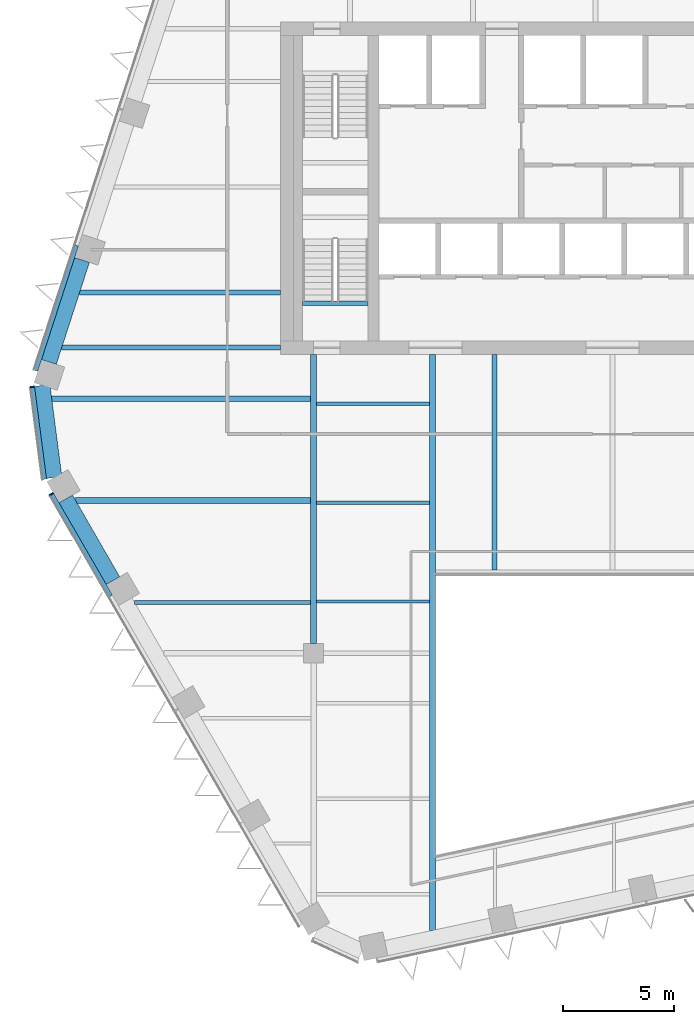
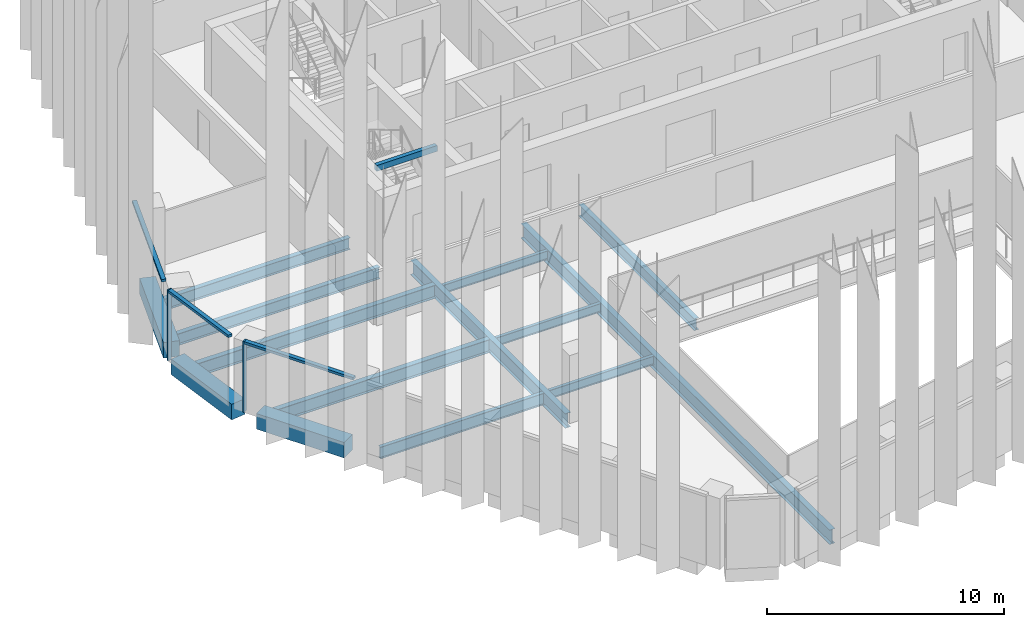
# One storey, part 3 of 18: 15 beams, 5 members, 3 elements without a shape of their own.
"""IFC4 building model written with IfcOpenShell, lengths in metres."""

from ifc_helpers import new_model, si_unit, direction, frame, origin, origin_2d, place, context, subcontext, project, spatial, rectangle, i_section, extrude, material, layer, layer_set, material_profile, profile_set, type_object, element, aggregate, save


model = new_model("IFC4")

# Units and contexts
model_context = context("Model", 3, precision=1e-05, world=origin(), true_north=direction((0.0, 1.0)))
body_context = subcontext(model_context, "Body", "Model", "MODEL_VIEW")
ifc_project = project(units=[si_unit("LENGTHUNIT", "METRE"), si_unit("AREAUNIT", "SQUARE_METRE"), si_unit("VOLUMEUNIT", "CUBIC_METRE"), si_unit("PLANEANGLEUNIT", "RADIAN"), si_unit("MASSUNIT", "GRAM", prefix="KILO")], contexts=[model_context])

# Site, building, storey
site_placement = place(None, origin())
site = spatial("IfcSite", under=ifc_project, at=site_placement, CompositionType="ELEMENT")
building_placement = place(site_placement, origin())
building = spatial("IfcBuilding", under=site, at=building_placement, Name="Isthmus Gate Tower", CompositionType="ELEMENT")
storey_placement = place(building_placement, frame((0.0, 0.0, 238.199951171875)))
storey = spatial("IfcBuildingStorey", under=building, at=storey_placement, Name="L60", CompositionType="ELEMENT", Elevation=238.199951171875)

# Curtain wall, member
ifc_material_1 = material(Name="Aluminium, pale champagne anodised", Category="aluminium")
ifc_layer = layer(ifc_material_1, 0.199951171875)
ifc_layer_set = layer_set([ifc_layer], Name="CW-1 UNITISED CURTAIN WALL 200 DEEP")
curtain_wall_type = type_object("IfcCurtainWallType", Name="CW-1 UNITISED CURTAIN WALL 200 DEEP", PredefinedType="NOTDEFINED", material=ifc_layer_set)
curtain_wall_1_placement = place(storey_placement, origin())
curtain_wall_1 = element("IfcCurtainWall", 1, at=curtain_wall_1_placement, inside=storey, type_object=curtain_wall_type, Name="CW-1 NW-SW L60", PredefinedType="NOTDEFINED")
ifc_material_2 = material(Name="Aluminium, pale champagne anodised", Category="aluminium")
ifc_material_profile_1 = material_profile(ifc_material_2, rectangle(XDim=0.06005859375, YDim=0.199951171875, at=origin_2d()), Name="60x200")
ifc_profile_set_1 = profile_set([ifc_material_profile_1], Name="Aluminium, pale champagne anodised")
member_type_1 = type_object("IfcMemberType", Name="CW-1 MULLION 60 X 200", PredefinedType="MULLION", material=ifc_profile_set_1)
member_1_placement = place(storey_placement, frame((-26.205322265625, -1.4658203125, 0.0), z_axis=(0.0, 0.0, 1.0), x_axis=(0.129164534, -0.991623175988, 0.0)))
member_1 = element("IfcMember", 2, at=member_1_placement, type_object=member_type_1, Name="CW-1 mullion", PredefinedType="MULLION", context=body_context, shape_type="SweptSolid", body=[
    extrude(rectangle(XDim=0.06005859375, YDim=0.199951171875, at=origin_2d()), origin(), (0.0, 0.0, 1.0), 3.650146484375),
])

curtain_wall_2_placement = place(storey_placement, origin())
curtain_wall_2 = element("IfcCurtainWall", 3, at=curtain_wall_2_placement, inside=storey, type_object=curtain_wall_type, Name="CW-1 SW L60", PredefinedType="NOTDEFINED")
member_2_placement = place(storey_placement, frame((-25.3427734375, -6.304931640625, 0.0), z_axis=(0.0, 0.0, 1.0), x_axis=(0.5, -0.866025403784, 0.0)))
member_2 = element("IfcMember", 4, at=member_2_placement, type_object=member_type_1, Name="CW-1 mullion", PredefinedType="MULLION", context=body_context, shape_type="SweptSolid", body=[
    extrude(rectangle(XDim=0.06005859375, YDim=0.199951171875, at=origin_2d()), origin(), (0.0, 0.0, 1.0), 3.650146484375),
])

curtain_wall_3_placement = place(storey_placement, origin())
curtain_wall_3 = element("IfcCurtainWall", 5, at=curtain_wall_3_placement, inside=storey, type_object=curtain_wall_type, Name="CW-1 NW L60", PredefinedType="NOTDEFINED")
ifc_material_3 = material(Name="Aluminium, pale champagne anodised", Category="aluminium")
ifc_material_profile_2 = material_profile(ifc_material_3, rectangle(XDim=0.199951171875, YDim=0.1298828125, at=origin_2d()), Name="200x130")
ifc_profile_set_2 = profile_set([ifc_material_profile_2], Name="Aluminium, pale champagne anodised")
member_type_2 = type_object("IfcMemberType", Name="CW-1 TRANSOM 200 X 130", PredefinedType="USERDEFINED", material=ifc_profile_set_2)
member_3_placement = place(storey_placement, frame((-24.217529296875, 4.92333984375, 3.5849609375), z_axis=(-0.309020108403, -0.951055504481, 0.0), x_axis=(0.951055504481, -0.309020108403, 0.0)))
member_3 = element("IfcMember", 6, at=member_3_placement, type_object=member_type_2, Name="CW-1 transom", ObjectType="TRANSOM", PredefinedType="USERDEFINED", context=body_context, shape_type="SweptSolid", body=[
    extrude(rectangle(XDim=0.199951171875, YDim=0.1298828125, at=origin_2d()), origin(), (0.0, 0.0, 1.0), 5.94189453125),
])
aggregate(curtain_wall_3, [member_3])

# Member
member_4_placement = place(storey_placement, frame((-26.20166015625, -1.495361328125, 3.5849609375), z_axis=(0.129206893318, -0.991617657527, 0.0), x_axis=(0.991617657527, 0.129206893318, 0.0)))
member_4 = element("IfcMember", 7, at=member_4_placement, type_object=member_type_2, Name="CW-1 transom", ObjectType="TRANSOM", PredefinedType="USERDEFINED", context=body_context, shape_type="SweptSolid", body=[
    extrude(rectangle(XDim=0.199951171875, YDim=0.1298828125, at=origin_2d()), origin(), (0.0, 0.0, 1.0), 4.181640625),
])

aggregate(curtain_wall_1, [member_1, member_4])

member_5_placement = place(storey_placement, frame((-25.327880859375, -6.3310546875, 3.5849609375), z_axis=(0.500022807565, -0.86601223543, 0.0), x_axis=(0.86601223543, 0.500022807565, 0.0)))
member_5 = element("IfcMember", 8, at=member_5_placement, type_object=member_type_2, Name="CW-1 transom", ObjectType="TRANSOM", PredefinedType="USERDEFINED", context=body_context, shape_type="SweptSolid", body=[
    extrude(rectangle(XDim=0.199951171875, YDim=0.1298828125, at=origin_2d()), origin(), (0.0, 0.0, 1.0), 5.300537109375),
])

aggregate(curtain_wall_2, [member_2, member_5])

# Beams
ifc_material_4 = material(Name="Concrete f'c 50 MPa", Category="concrete")
ifc_material_profile_3 = material_profile(ifc_material_4, rectangle(XDim=0.699951171875, YDim=0.800048828125, at=origin_2d()), Name="RC 700X800")
ifc_profile_set_3 = profile_set([ifc_material_profile_3], Name="Concrete f'c 50 MPa")
beam_type_1 = type_object("IfcBeamType", Name="RC SPANDREL 700 X 800", PredefinedType="SPANDREL", material=ifc_profile_set_3)
beam_1_placement = place(storey_placement, frame((-22.562744140625, -10.22021484375, -0.39990234375), z_axis=(-0.499996907167, 0.866027189425, 0.0), x_axis=(-0.866027189425, -0.499996907167, 0.0)))
element("IfcBeam", 9, at=beam_1_placement, inside=storey, type_object=beam_type_1, Name="str-spandrel-L60-19", PredefinedType="SPANDREL", context=body_context, shape_type="SweptSolid", body=[
    extrude(rectangle(XDim=0.699951171875, YDim=0.800048828125, at=origin_2d()), origin(), (0.0, 0.0, 1.0), 4.2607421875),
])
beam_2_placement = place(storey_placement, frame((-25.218017578125, -5.563232421875, -0.39990234375), z_axis=(-0.129137748309, 0.991626664608, 0.0), x_axis=(-0.991626664608, -0.129137748309, 0.0)))
element("IfcBeam", 10, at=beam_2_placement, inside=storey, type_object=beam_type_1, Name="str-spandrel-L60-20", PredefinedType="SPANDREL", context=body_context, shape_type="SweptSolid", body=[
    extrude(rectangle(XDim=0.699951171875, YDim=0.800048828125, at=origin_2d()), origin(), (0.0, 0.0, 1.0), 4.197021484375),
])
beam_3_placement = place(storey_placement, frame((-25.455810546875, -0.34375, -0.39990234375), z_axis=(0.309033626624, 0.951051111989, 0.0), x_axis=(-0.951051111989, 0.309033626624, 0.0)))
element("IfcBeam", 11, at=beam_3_placement, inside=storey, type_object=beam_type_1, Name="str-spandrel-L60-21", PredefinedType="SPANDREL", context=body_context, shape_type="SweptSolid", body=[
    extrude(rectangle(XDim=0.699951171875, YDim=0.800048828125, at=origin_2d()), origin(), (0.0, 0.0, 1.0), 4.842041015625),
])
ifc_material_5 = material(Name="Concrete f'c 40 MPa", Category="concrete")
ifc_material_profile_4 = material_profile(ifc_material_5, rectangle(XDim=0.199951171875, YDim=0.300048828125, at=origin_2d()), Name="STAIR LANDING BEAM RC 200 X 300")
ifc_profile_set_4 = profile_set([ifc_material_profile_4], Name="Concrete f'c 40 MPa")
beam_type_2 = type_object("IfcBeamType", Name="STAIR LANDING BEAM RC 200 X 300", PredefinedType="BEAM", material=ifc_profile_set_4)
beam_4_placement = place(storey_placement, frame((-14.0, 2.2998046875, 3.35009765625), z_axis=(1.0, 0.0, 0.0), x_axis=(0.0, 1.0, 0.0)))
element("IfcBeam", 12, at=beam_4_placement, inside=storey, type_object=beam_type_2, Name="L60 ST7 floor-edge seat beam", PredefinedType="BEAM", context=body_context, shape_type="SweptSolid", body=[
    extrude(rectangle(XDim=0.199951171875, YDim=0.300048828125, at=origin_2d()), origin(), (0.0, 0.0, 1.0), 2.949951171875),
])
ifc_material_6 = material(Name="Structural steel ASTM A992 Gr 50", Category="steel")
ifc_material_profile_5 = material_profile(ifc_material_6, i_section(OverallWidth=0.15234375, OverallDepth=0.45068359375, WebThickness=0.0078125, FlangeThickness=0.010986328125, at=origin_2d()), Name="W18X35")
ifc_profile_set_5 = profile_set([ifc_material_profile_5], Name="Structural steel ASTM A992 Gr 50")
beam_type_3 = type_object("IfcBeamType", Name="STEEL FLOOR BEAM W18X35", PredefinedType="JOIST", material=ifc_profile_set_5)
for number, where, z_axis, x_axis, name in (
    (13, (-13.3681640625, -11.16259765625, -0.375244140625), (1.0, 0.0, 0.0), (0.0, 1.0, 0.0), "str-beam-L60-03-00"),
    (14, (-13.3681640625, -6.697509765625, -0.375244140625), (1.0, 0.0, 0.0), (0.0, 1.0, 0.0), "str-beam-L60-03-01"),
    (15, (-13.3681640625, -2.232421875, -0.375244140625), (1.0, 0.0, 0.0), (0.0, 1.0, 0.0), "str-beam-L60-03-02"),
):
    element("IfcBeam", number, at=place(storey_placement, frame(where, z_axis=z_axis, x_axis=x_axis)), inside=storey, type_object=beam_type_3, Name=name, PredefinedType="JOIST", context=body_context, shape_type="SweptSolid", body=[
        extrude(i_section(OverallWidth=0.15234375, OverallDepth=0.45068359375, WebThickness=0.0078125, FlangeThickness=0.010986328125, at=origin_2d()), origin(), (0.0, 0.0, 1.0), 5.104736328125),
    ])
ifc_material_7 = material(Name="Structural steel ASTM A992 Gr 50", Category="steel")
ifc_material_profile_6 = material_profile(ifc_material_7, i_section(OverallWidth=0.177734375, OverallDepth=0.60009765625, WebThickness=0.009521484375, FlangeThickness=0.0126953125, at=origin_2d()), Name="W24X55")
ifc_profile_set_6 = profile_set([ifc_material_profile_6], Name="Structural steel ASTM A992 Gr 50")
beam_type_4 = type_object("IfcBeamType", Name="STEEL FLOOR BEAM W24X55", PredefinedType="JOIST", material=ifc_profile_set_6)
beam_5_placement = place(storey_placement, frame((-21.593017578125, -11.199951171875, -0.449951171875), z_axis=(1.0, 0.0, 0.0), x_axis=(0.0, 1.0, 0.0)))
element("IfcBeam", 16, at=beam_5_placement, inside=storey, type_object=beam_type_4, Name="str-beam-L60-01-00", PredefinedType="JOIST", context=body_context, shape_type="SweptSolid", body=[
    extrude(i_section(OverallWidth=0.177734375, OverallDepth=0.60009765625, WebThickness=0.009521484375, FlangeThickness=0.0126953125, at=origin_2d()), origin(), (0.0, 0.0, 1.0), 7.961181640625),
])
ifc_material_8 = material(Name="Structural steel ASTM A992 Gr 50", Category="steel")
ifc_material_profile_7 = material_profile(ifc_material_8, i_section(OverallWidth=0.228515625, OverallDepth=0.603271484375, WebThickness=0.010986328125, FlangeThickness=0.014404296875, at=origin_2d()), Name="W24X68")
ifc_profile_set_7 = profile_set([ifc_material_profile_7], Name="Structural steel ASTM A992 Gr 50")
beam_type_5 = type_object("IfcBeamType", Name="STEEL FLOOR BEAM W24X68", PredefinedType="JOIST", material=ifc_profile_set_7)
beam_6_placement = place(storey_placement, frame((-24.06787109375, 2.795166015625, -0.45166015625), z_axis=(1.0, 0.0, 0.0), x_axis=(0.0, 1.0, 0.0)))
element("IfcBeam", 17, at=beam_6_placement, inside=storey, type_object=beam_type_5, Name="str-beam-L60-00-00", PredefinedType="JOIST", context=body_context, shape_type="SweptSolid", body=[
    extrude(i_section(OverallWidth=0.228515625, OverallDepth=0.603271484375, WebThickness=0.010986328125, FlangeThickness=0.014404296875, at=origin_2d()), origin(), (0.0, 0.0, 1.0), 9.06787109375),
])
beam_7_placement = place(storey_placement, frame((-5.333251953125, -9.7333984375, -0.45166015625), z_axis=(0.0, 1.0, 0.0), x_axis=(-1.0, 0.0, 0.0)))
element("IfcBeam", 18, at=beam_7_placement, inside=storey, type_object=beam_type_5, Name="str-beam-L60-07-00", PredefinedType="JOIST", context=body_context, shape_type="SweptSolid", body=[
    extrude(i_section(OverallWidth=0.228515625, OverallDepth=0.603271484375, WebThickness=0.010986328125, FlangeThickness=0.014404296875, at=origin_2d()), origin(), (0.0, 0.0, 1.0), 9.7333984375),
])
ifc_material_9 = material(Name="Structural steel ASTM A992 Gr 50", Category="steel")
ifc_material_profile_8 = material_profile(ifc_material_9, i_section(OverallWidth=0.25390625, OverallDepth=0.679443359375, WebThickness=0.010986328125, FlangeThickness=0.015869140625, at=origin_2d()), Name="W27X84")
ifc_profile_set_8 = profile_set([ifc_material_profile_8], Name="Structural steel ASTM A992 Gr 50")
beam_type_6 = type_object("IfcBeamType", Name="STEEL FLOOR BEAM W27X84", PredefinedType="JOIST", material=ifc_profile_set_8)
beam_8_placement = place(storey_placement, frame((-24.248779296875, -6.60009765625, -0.48974609375), z_axis=(1.0, 0.0, 0.0), x_axis=(0.0, 1.0, 0.0)))
element("IfcBeam", 19, at=beam_8_placement, inside=storey, type_object=beam_type_6, Name="str-beam-L60-01-01", PredefinedType="JOIST", context=body_context, shape_type="SweptSolid", body=[
    extrude(i_section(OverallWidth=0.25390625, OverallDepth=0.679443359375, WebThickness=0.010986328125, FlangeThickness=0.015869140625, at=origin_2d()), origin(), (0.0, 0.0, 1.0), 10.616943359375),
])
beam_9_placement = place(storey_placement, frame((-25.3291015625, -2.0, -0.48974609375), z_axis=(1.0, 0.0, 0.0), x_axis=(0.0, 1.0, 0.0)))
element("IfcBeam", 20, at=beam_9_placement, inside=storey, type_object=beam_type_6, Name="str-beam-L60-01-02", PredefinedType="JOIST", context=body_context, shape_type="SweptSolid", body=[
    extrude(i_section(OverallWidth=0.25390625, OverallDepth=0.679443359375, WebThickness=0.010986328125, FlangeThickness=0.015869140625, at=origin_2d()), origin(), (0.0, 0.0, 1.0), 11.697265625),
])
ifc_material_10 = material(Name="Structural steel ASTM A992 Gr 50", Category="steel")
ifc_material_profile_9 = material_profile(ifc_material_10, i_section(OverallWidth=0.228515625, OverallDepth=0.6064453125, WebThickness=0.010986328125, FlangeThickness=0.017578125, at=origin_2d()), Name="W24X76")
ifc_profile_set_9 = profile_set([ifc_material_profile_9], Name="Structural steel ASTM A992 Gr 50")
beam_type_7 = type_object("IfcBeamType", Name="STEEL GIRDER W24X76", PredefinedType="BEAM", material=ifc_profile_set_9)
beam_10_placement = place(storey_placement, frame((-15.0, 0.300048828125, -0.453125), z_axis=(-1.0, 0.0, 0.0), x_axis=(0.0, -1.0, 0.0)))
element("IfcBeam", 21, at=beam_10_placement, inside=storey, type_object=beam_type_7, Name="str-girder-L60-09", PredefinedType="BEAM", context=body_context, shape_type="SweptSolid", body=[
    extrude(i_section(OverallWidth=0.228515625, OverallDepth=0.6064453125, WebThickness=0.010986328125, FlangeThickness=0.017578125, at=origin_2d()), origin(), (0.0, 0.0, 1.0), 9.878662109375),
])
ifc_material_11 = material(Name="Structural steel ASTM A992 Gr 50", Category="steel")
ifc_material_profile_10 = material_profile(ifc_material_11, i_section(OverallWidth=0.263427734375, OverallDepth=0.749267578125, WebThickness=0.0126953125, FlangeThickness=0.015869140625, at=origin_2d()), Name="W30X90")
ifc_profile_set_10 = profile_set([ifc_material_profile_10], Name="Structural steel ASTM A992 Gr 50")
beam_type_8 = type_object("IfcBeamType", Name="STEEL GIRDER W30X90", PredefinedType="BEAM", material=ifc_profile_set_10)
beam_11_placement = place(storey_placement, frame((-13.5, -13.050048828125, -0.524658203125), z_axis=(0.0, 1.0, 0.0), x_axis=(-1.0, 0.0, 0.0)))
element("IfcBeam", 22, at=beam_11_placement, inside=storey, type_object=beam_type_8, Name="str-girder-L60-06", PredefinedType="BEAM", context=body_context, shape_type="SweptSolid", body=[
    extrude(i_section(OverallWidth=0.263427734375, OverallDepth=0.749267578125, WebThickness=0.0126953125, FlangeThickness=0.015869140625, at=origin_2d()), origin(), (0.0, 0.0, 1.0), 13.050048828125),
])
ifc_material_12 = material(Name="Structural steel ASTM A992 Gr 50", Category="steel")
ifc_material_profile_11 = material_profile(ifc_material_12, i_section(OverallWidth=0.263427734375, OverallDepth=0.749267578125, WebThickness=0.0126953125, FlangeThickness=0.015869140625, at=origin_2d()), Name="W30X90")
ifc_profile_set_11 = profile_set([ifc_material_profile_11], Name="Structural steel ASTM A992 Gr 50")
beam_type_9 = type_object("IfcBeamType", Name="STEEL TRIMMER W30X90", PredefinedType="BEAM", material=ifc_profile_set_11)
beam_12_placement = place(storey_placement, frame((-8.1318359375, 0.0, -0.524658203125), z_axis=(0.0, -1.0, 0.0), x_axis=(1.0, 0.0, 0.0)))
element("IfcBeam", 23, at=beam_12_placement, inside=storey, type_object=beam_type_9, Name="str-trimmer-L60-02", PredefinedType="BEAM", context=body_context, shape_type="SweptSolid", body=[
    extrude(i_section(OverallWidth=0.263427734375, OverallDepth=0.749267578125, WebThickness=0.0126953125, FlangeThickness=0.015869140625, at=origin_2d()), origin(), (0.0, 0.0, 1.0), 26.012939453125),
])

save(model, "model.ifc")
